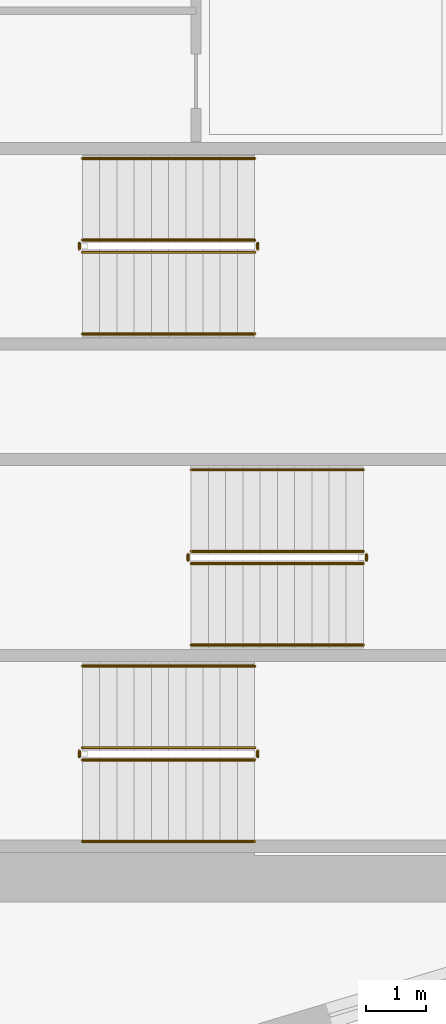
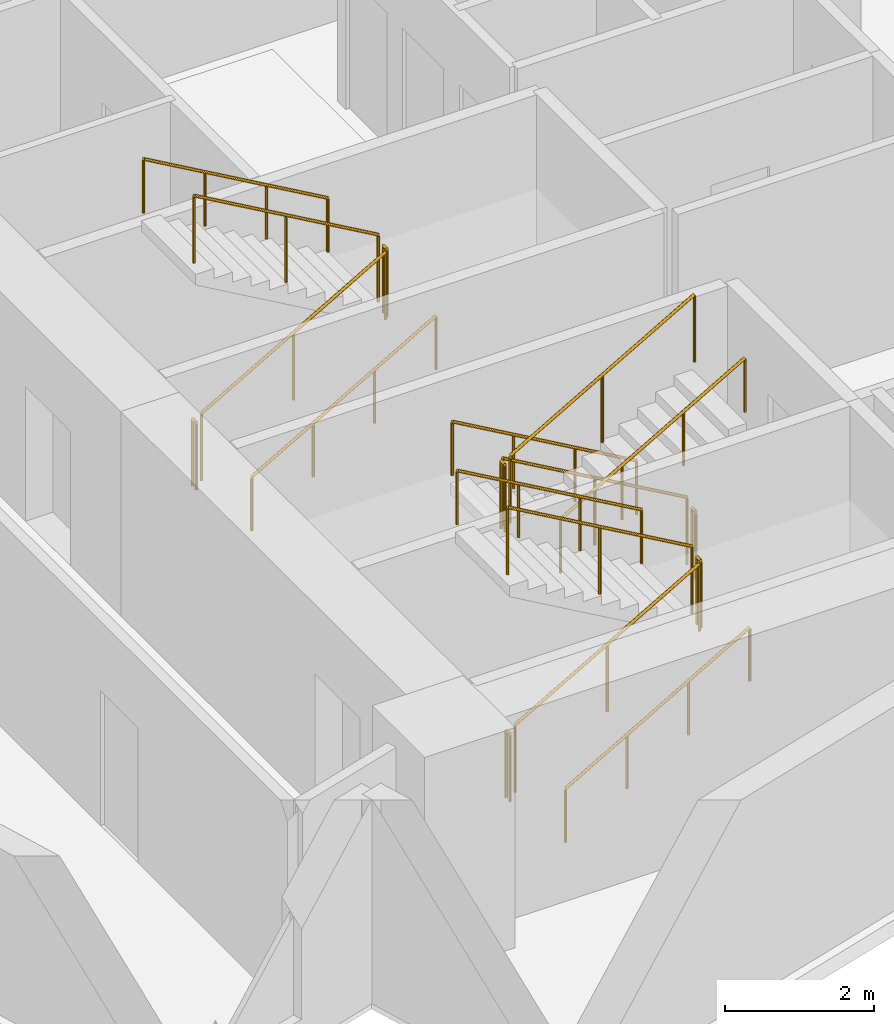
# One storey, part 15 of 16: 18 railings.
"""IFC4 building model written with IfcOpenShell, lengths in metres."""

import ifcopenshell
import ifcopenshell.guid

model = None  # the IFC model being written
_history = None  # IfcOwnerHistory: only IFC2X3 demands one
_inside = {}  # id of a spatial element -> (the spatial element, [elements in it])
_under = {}  # id of a project, library or spatial element -> (it, [spatial elements below it])
_declared = {}  # id of a project -> (the project, [libraries it declares])
_typed = {}  # id of a type object -> (the type object, [elements of that type])
_made_of = {}  # id of a material, layer set ... -> (it, [elements and type objects made of it])


def new_model(schema):
    """Start an empty IFC model of exactly this schema.

    Asked for "IFC4X3", IfcOpenShell would pick the latest addendum, in which some entities
    have other attributes; the version numbers below select the first issue.
    IFC2X3 requires an IfcOwnerHistory on every rooted entity: one is made here for all.
    """
    global model, _history
    if schema == "IFC4X3":
        model = ifcopenshell.file(schema_version=(4, 3, 0, 0))
    else:
        model = ifcopenshell.file(schema=schema)
    _inside.clear()
    _under.clear()
    _declared.clear()
    _typed.clear()
    _made_of.clear()
    _history = None
    if model.schema == "IFC2X3":
        org = make("IfcOrganization", Name="unknown")
        user = make(
            "IfcPersonAndOrganization",
            ThePerson=make("IfcPerson", FamilyName="unknown"),
            TheOrganization=org,
        )
        app = make(
            "IfcApplication",
            ApplicationDeveloper=org,
            Version="unknown",
            ApplicationFullName="unknown",
            ApplicationIdentifier="unknown",
        )
        _history = make(
            "IfcOwnerHistory",
            OwningUser=user,
            OwningApplication=app,
            ChangeAction="ADDED",
            CreationDate=0,
        )
    return model


def make(cls, **values):
    """One entity of the class cls with the attributes given. An attribute that is None is left unset."""
    return model.create_entity(
        cls, **{name: value for name, value in values.items() if value is not None}
    )


def rooted(cls, **values):
    """An entity with a GlobalId (a new one), such as an element, a storey or a relation."""
    return make(cls, GlobalId=ifcopenshell.guid.new(), OwnerHistory=_history, **values)


def si_unit(unit_type, name, prefix=None):
    """IfcSIUnit, for example si_unit("LENGTHUNIT", "METRE", prefix="MILLI")."""
    return make("IfcSIUnit", UnitType=unit_type, Prefix=prefix, Name=name)


def assignment(units):
    """IfcUnitAssignment: the units of a project."""
    return None if units is None else make("IfcUnitAssignment", Units=units)


def point(xyz):
    """IfcCartesianPoint."""
    return None if xyz is None else make("IfcCartesianPoint", Coordinates=xyz)


def direction(xyz):
    """IfcDirection."""
    return None if xyz is None else make("IfcDirection", DirectionRatios=xyz)


def frame(location, z_axis=None, x_axis=None):
    """IfcAxis2Placement3D, a coordinate frame: its origin and axes. An axis left out is left unset."""
    return make(
        "IfcAxis2Placement3D",
        Location=point(location),
        Axis=direction(z_axis),
        RefDirection=direction(x_axis),
    )


def frame_2d(location, x_axis=None):
    """IfcAxis2Placement2D, a coordinate frame in the plane: its origin and x axis."""
    return make(
        "IfcAxis2Placement2D", Location=point(location), RefDirection=direction(x_axis)
    )


def origin():
    """The frame at (0, 0, 0) with its axes left unset."""
    return frame((0.0, 0.0, 0.0))


def origin_2d():
    """The frame at (0, 0) in the plane with its x axis left unset."""
    return frame_2d((0.0, 0.0))


def place(relative_to, where):
    """IfcLocalPlacement: puts the frame where relative to a parent placement (None: the world)."""
    return make(
        "IfcLocalPlacement", PlacementRelTo=relative_to, RelativePlacement=where
    )


def context(
    kind, dimensions, precision=None, world=None, true_north=None, identifier=None
):
    """IfcGeometricRepresentationContext, for example the 3D "Model" context."""
    return make(
        "IfcGeometricRepresentationContext",
        ContextIdentifier=identifier,
        ContextType=kind,
        CoordinateSpaceDimension=dimensions,
        Precision=precision,
        WorldCoordinateSystem=world,
        TrueNorth=true_north,
    )


def subcontext(parent, identifier, kind, view, scale=None):
    """IfcGeometricRepresentationSubContext, for example "Body" below "Model"."""
    return make(
        "IfcGeometricRepresentationSubContext",
        ContextIdentifier=identifier,
        ContextType=kind,
        ParentContext=parent,
        TargetScale=scale,
        TargetView=view,
    )


def project(units=None, contexts=None):
    """IfcProject with its units and contexts."""
    return rooted(
        "IfcProject",
        Name="project",
        RepresentationContexts=contexts,
        UnitsInContext=assignment(units),
    )


def spatial(cls, under=None, at=None, **own):
    """A site, building, storey or space (cls), placed at a placement, below another one or the project."""
    s = rooted(cls, ObjectPlacement=at, **own)
    if under is not None:
        _under.setdefault(under.id(), (under, []))[1].append(s)
    return s


def profile(cls, at=None, kind="AREA", **sizes):
    """A parametric profile (cls). Its sizes go by their IFC names, for example OverallWidth=200.0."""
    return make(cls, ProfileType=kind, Position=at, **sizes)


def circle(**sizes):
    """IfcCircleProfileDef."""
    return profile("IfcCircleProfileDef", **sizes)


def extrude(swept, where, along, depth):
    """IfcExtrudedAreaSolid: the profile swept, set in the frame where, extruded along a direction by depth."""
    return make(
        "IfcExtrudedAreaSolid",
        SweptArea=swept,
        Position=where,
        ExtrudedDirection=direction(along),
        Depth=depth,
    )


def shape(context_of_items, identifier, shape_type, items):
    """IfcShapeRepresentation: the items that make up one representation, for example the "Body"."""
    return make(
        "IfcShapeRepresentation",
        ContextOfItems=context_of_items,
        RepresentationIdentifier=identifier,
        RepresentationType=shape_type,
        Items=items,
    )


def material(Name=None, Category=None):
    """IfcMaterial."""
    return make("IfcMaterial", Name=Name, Category=Category)


def made_of(thing, what):
    """Note that an element or type object is made of a material, layer set ...; save() writes the relation."""
    if what is not None:
        _made_of.setdefault(what.id(), (what, []))[1].append(thing)
    return thing


def type_object(cls, material=None, **own):
    """A type object (cls), such as IfcWallType, which elements share."""
    return made_of(rooted(cls, **own), material)


def element(
    cls,
    number,
    at=None,
    inside=None,
    cuts=None,
    type_object=None,
    material=None,
    context=None,
    identifier="Body",
    shape_type=None,
    held_by="IfcProductDefinitionShape",
    body=None,
    shapes=None,
    **own,
):
    """One element of the class cls, such as IfcWall. Its Tag is "e" and its number.

    at: its placement. inside: the storey or other place that contains it. cuts: it is an
    opening in that element (IfcRelVoidsElement). A single representation is given by context,
    identifier, shape_type and body (its items); several are given by shapes. held_by: the class
    of the entity that holds the representations. save() writes the other relations.
    """
    e = rooted(cls, Tag="e%d" % number, ObjectPlacement=at, **own)
    if body is not None:
        shapes = [shape(context, identifier, shape_type, body)]
    if shapes is not None:
        e.Representation = make(held_by, Representations=shapes)
    if inside is not None:
        _inside.setdefault(inside.id(), (inside, []))[1].append(e)
    if cuts is not None:
        rooted(
            "IfcRelVoidsElement", RelatingBuildingElement=cuts, RelatedOpeningElement=e
        )
    if type_object is not None:
        _typed.setdefault(type_object.id(), (type_object, []))[1].append(e)
    return made_of(e, material)


def aggregate(whole, parts):
    """IfcRelAggregates: a whole, such as a stair, and the parts it consists of."""
    return rooted("IfcRelAggregates", RelatingObject=whole, RelatedObjects=parts)


def save(model, path):
    """Write the relations noted so far, then the file.

    IfcRelAggregates (storeys below a building ...), IfcRelContainedInSpatialStructure (elements
    in a storey), IfcRelDefinesByType, IfcRelAssociatesMaterial and IfcRelDeclares: one each for
    every whole, place, type object, material and project.
    """
    for whole, parts in _under.values():
        aggregate(whole, parts)
    for where, things in _inside.values():
        rooted(
            "IfcRelContainedInSpatialStructure",
            RelatedElements=things,
            RelatingStructure=where,
        )
    for kind, things in _typed.values():
        rooted("IfcRelDefinesByType", RelatedObjects=things, RelatingType=kind)
    for what, things in _made_of.values():
        rooted("IfcRelAssociatesMaterial", RelatedObjects=things, RelatingMaterial=what)
    for by, libraries in _declared.values():
        rooted("IfcRelDeclares", RelatingContext=by, RelatedDefinitions=libraries)
    model.write(path)


model = new_model("IFC4")

# Units and contexts
model_context = context("Model", 3, precision=1e-05, world=origin(), true_north=direction((0.0, 1.0)))
body_context = subcontext(model_context, "Body", "Model", "MODEL_VIEW")
ifc_project = project(units=[si_unit("LENGTHUNIT", "METRE"), si_unit("AREAUNIT", "SQUARE_METRE"), si_unit("VOLUMEUNIT", "CUBIC_METRE"), si_unit("PLANEANGLEUNIT", "RADIAN"), si_unit("MASSUNIT", "GRAM", prefix="KILO")], contexts=[model_context])

# Site, building, storey
site_placement = place(None, origin())
site = spatial("IfcSite", under=ifc_project, at=site_placement, CompositionType="ELEMENT")
building_placement = place(site_placement, origin())
building = spatial("IfcBuilding", under=site, at=building_placement, Name="Narakoshi Arena Tower", CompositionType="ELEMENT")
storey_placement = place(building_placement, frame((0.0, 0.0, 146.699951171875)))
storey = spatial("IfcBuildingStorey", under=building, at=storey_placement, Name="L39", CompositionType="ELEMENT", Elevation=146.699951171875)

# Railings
ifc_material_1 = material(Name="Clear low-iron laminated structural glass", Category="glass")
railing_type_1 = type_object("IfcRailingType", Name="RL-BAL-1100", PredefinedType="BALUSTRADE", material=ifc_material_1)
railing_1_placement = place(storey_placement, frame((74.39990234375, 36.949951171875, 0.16357421875)))
element("IfcRailing", 1, at=railing_1_placement, inside=storey, type_object=railing_type_1, Name="L39 ST1 stair guard 1", PredefinedType="BALUSTRADE", context=body_context, shape_type="SweptSolid", body=[
    extrude(circle(Radius=0.02392578125, at=origin_2d()), frame((0.0, 0.0, 1.09619140625), z_axis=(0.86721270334, 0.0, 0.497937874806), x_axis=(0.0, 1.0, 0.0)), (0.0, 0.0, 1.0), 3.28662109375),
    extrude(circle(Radius=0.02099609375, at=origin_2d()), origin(), (0.0, 0.0, 1.0), 1.072021484375),
    extrude(circle(Radius=0.02099609375, at=origin_2d()), frame((1.425048828125, 0.0, 0.818359375)), (0.0, 0.0, 1.0), 1.072021484375),
    extrude(circle(Radius=0.02099609375, at=origin_2d()), frame((2.85009765625, 0.0, 1.636474609375)), (0.0, 0.0, 1.0), 1.072021484375),
])
railing_2_placement = place(storey_placement, frame((77.300048828125, 37.0, 1.800048828125)))
element("IfcRailing", 2, at=railing_2_placement, inside=storey, type_object=railing_type_1, Name="L39 ST1 stair guard 2", PredefinedType="BALUSTRADE", context=body_context, shape_type="SweptSolid", body=[
    extrude(circle(Radius=0.02392578125, at=origin_2d()), frame((0.0, 0.0, 1.09619140625), z_axis=(0.0, 1.0, 0.0), x_axis=(-1.0, 0.0, 0.0)), (0.0, 0.0, 1.0), 0.10009765625),
    extrude(circle(Radius=0.02099609375, at=origin_2d()), origin(), (0.0, 0.0, 1.0), 1.072021484375),
    extrude(circle(Radius=0.02099609375, at=origin_2d()), frame((0.0, 0.10009765625, 0.0)), (0.0, 0.0, 1.0), 1.072021484375),
])
railing_3_placement = place(storey_placement, frame((77.25, 37.14990234375, 1.963623046875)))
element("IfcRailing", 3, at=railing_3_placement, inside=storey, type_object=railing_type_1, Name="L39 ST1 stair guard 3", PredefinedType="BALUSTRADE", context=body_context, shape_type="SweptSolid", body=[
    extrude(circle(Radius=0.02392578125, at=origin_2d()), frame((0.0, 0.0, 1.09619140625), z_axis=(-0.86721270334, 0.0, 0.497937874806), x_axis=(0.0, -1.0, 0.0)), (0.0, 0.0, 1.0), 3.28662109375),
    extrude(circle(Radius=0.02099609375, at=origin_2d()), origin(), (0.0, 0.0, 1.0), 1.072021484375),
    extrude(circle(Radius=0.02099609375, at=origin_2d()), frame((-1.425048828125, 0.0, 0.818359375)), (0.0, 0.0, 1.0), 1.072021484375),
    extrude(circle(Radius=0.02099609375, at=origin_2d()), frame((-2.85009765625, 0.0, 1.636474609375)), (0.0, 0.0, 1.0), 1.072021484375),
])
railing_4_placement = place(storey_placement, frame((74.35009765625, 37.0, 0.0)))
element("IfcRailing", 4, at=railing_4_placement, inside=storey, type_object=railing_type_1, Name="L39 ST1 stair guard 4", PredefinedType="BALUSTRADE", context=body_context, shape_type="SweptSolid", body=[
    extrude(circle(Radius=0.02392578125, at=origin_2d()), frame((0.0, 0.0, 1.09619140625), z_axis=(0.0, 1.0, 0.0), x_axis=(-1.0, 0.0, 0.0)), (0.0, 0.0, 1.0), 0.10009765625),
    extrude(circle(Radius=0.02099609375, at=origin_2d()), origin(), (0.0, 0.0, 1.0), 1.072021484375),
    extrude(circle(Radius=0.02099609375, at=origin_2d()), frame((0.0, 0.10009765625, 0.0)), (0.0, 0.0, 1.0), 1.072021484375),
])
railing_5_placement = place(storey_placement, frame((79.050048828125, 40.39990234375, 0.16357421875)))
element("IfcRailing", 5, at=railing_5_placement, inside=storey, type_object=railing_type_1, Name="L39 ST2 stair guard 1", PredefinedType="BALUSTRADE", context=body_context, shape_type="SweptSolid", body=[
    extrude(circle(Radius=0.02392578125, at=origin_2d()), frame((0.0, 0.0, 1.09619140625), z_axis=(-0.86721270334, 0.0, 0.497937874806), x_axis=(0.0, -1.0, 0.0)), (0.0, 0.0, 1.0), 3.28662109375),
    extrude(circle(Radius=0.02099609375, at=origin_2d()), origin(), (0.0, 0.0, 1.0), 1.072021484375),
    extrude(circle(Radius=0.02099609375, at=origin_2d()), frame((-1.425048828125, 0.0, 0.818359375)), (0.0, 0.0, 1.0), 1.072021484375),
    extrude(circle(Radius=0.02099609375, at=origin_2d()), frame((-2.85009765625, 0.0, 1.636474609375)), (0.0, 0.0, 1.0), 1.072021484375),
])
railing_6_placement = place(storey_placement, frame((76.14990234375, 40.35009765625, 1.800048828125)))
element("IfcRailing", 6, at=railing_6_placement, inside=storey, type_object=railing_type_1, Name="L39 ST2 stair guard 2", PredefinedType="BALUSTRADE", context=body_context, shape_type="SweptSolid", body=[
    extrude(circle(Radius=0.02392578125, at=origin_2d()), frame((0.0, 0.0, 1.09619140625), z_axis=(0.0, -1.0, 0.0), x_axis=(1.0, 0.0, 0.0)), (0.0, 0.0, 1.0), 0.10009765625),
    extrude(circle(Radius=0.02099609375, at=origin_2d()), origin(), (0.0, 0.0, 1.0), 1.072021484375),
    extrude(circle(Radius=0.02099609375, at=origin_2d()), frame((0.0, -0.10009765625, 0.0)), (0.0, 0.0, 1.0), 1.072021484375),
])
railing_7_placement = place(storey_placement, frame((76.199951171875, 40.199951171875, 1.963623046875)))
element("IfcRailing", 7, at=railing_7_placement, inside=storey, type_object=railing_type_1, Name="L39 ST2 stair guard 3", PredefinedType="BALUSTRADE", context=body_context, shape_type="SweptSolid", body=[
    extrude(circle(Radius=0.02392578125, at=origin_2d()), frame((0.0, 0.0, 1.09619140625), z_axis=(0.86721270334, 0.0, 0.497937874806), x_axis=(0.0, 1.0, 0.0)), (0.0, 0.0, 1.0), 3.28662109375),
    extrude(circle(Radius=0.02099609375, at=origin_2d()), origin(), (0.0, 0.0, 1.0), 1.072021484375),
    extrude(circle(Radius=0.02099609375, at=origin_2d()), frame((1.425048828125, 0.0, 0.818359375)), (0.0, 0.0, 1.0), 1.072021484375),
    extrude(circle(Radius=0.02099609375, at=origin_2d()), frame((2.85009765625, 0.0, 1.636474609375)), (0.0, 0.0, 1.0), 1.072021484375),
])
railing_8_placement = place(storey_placement, frame((79.10009765625, 40.35009765625, 0.0)))
element("IfcRailing", 8, at=railing_8_placement, inside=storey, type_object=railing_type_1, Name="L39 ST2 stair guard 4", PredefinedType="BALUSTRADE", context=body_context, shape_type="SweptSolid", body=[
    extrude(circle(Radius=0.02392578125, at=origin_2d()), frame((0.0, 0.0, 1.09619140625), z_axis=(0.0, -1.0, 0.0), x_axis=(1.0, 0.0, 0.0)), (0.0, 0.0, 1.0), 0.10009765625),
    extrude(circle(Radius=0.02099609375, at=origin_2d()), origin(), (0.0, 0.0, 1.0), 1.072021484375),
    extrude(circle(Radius=0.02099609375, at=origin_2d()), frame((0.0, -0.10009765625, 0.0)), (0.0, 0.0, 1.0), 1.072021484375),
])
railing_9_placement = place(storey_placement, frame((74.39990234375, 45.35009765625, 0.16357421875)))
element("IfcRailing", 9, at=railing_9_placement, inside=storey, type_object=railing_type_1, Name="L39 ST3 stair guard 1", PredefinedType="BALUSTRADE", context=body_context, shape_type="SweptSolid", body=[
    extrude(circle(Radius=0.02392578125, at=origin_2d()), frame((0.0, 0.0, 1.09619140625), z_axis=(0.86721270334, 0.0, 0.497937874806), x_axis=(0.0, 1.0, 0.0)), (0.0, 0.0, 1.0), 3.28662109375),
    extrude(circle(Radius=0.02099609375, at=origin_2d()), origin(), (0.0, 0.0, 1.0), 1.072021484375),
    extrude(circle(Radius=0.02099609375, at=origin_2d()), frame((1.425048828125, 0.0, 0.818359375)), (0.0, 0.0, 1.0), 1.072021484375),
    extrude(circle(Radius=0.02099609375, at=origin_2d()), frame((2.85009765625, 0.0, 1.636474609375)), (0.0, 0.0, 1.0), 1.072021484375),
])
railing_10_placement = place(storey_placement, frame((77.300048828125, 45.39990234375, 1.800048828125)))
element("IfcRailing", 10, at=railing_10_placement, inside=storey, type_object=railing_type_1, Name="L39 ST3 stair guard 2", PredefinedType="BALUSTRADE", context=body_context, shape_type="SweptSolid", body=[
    extrude(circle(Radius=0.02392578125, at=origin_2d()), frame((0.0, 0.0, 1.09619140625), z_axis=(0.0, 1.0, 0.0), x_axis=(-1.0, 0.0, 0.0)), (0.0, 0.0, 1.0), 0.10009765625),
    extrude(circle(Radius=0.02099609375, at=origin_2d()), origin(), (0.0, 0.0, 1.0), 1.072021484375),
    extrude(circle(Radius=0.02099609375, at=origin_2d()), frame((0.0, 0.10009765625, 0.0)), (0.0, 0.0, 1.0), 1.072021484375),
])
railing_11_placement = place(storey_placement, frame((77.25, 45.550048828125, 1.963623046875)))
element("IfcRailing", 11, at=railing_11_placement, inside=storey, type_object=railing_type_1, Name="L39 ST3 stair guard 3", PredefinedType="BALUSTRADE", context=body_context, shape_type="SweptSolid", body=[
    extrude(circle(Radius=0.02392578125, at=origin_2d()), frame((0.0, 0.0, 1.09619140625), z_axis=(-0.86721270334, 0.0, 0.497937874806), x_axis=(0.0, -1.0, 0.0)), (0.0, 0.0, 1.0), 3.28662109375),
    extrude(circle(Radius=0.02099609375, at=origin_2d()), origin(), (0.0, 0.0, 1.0), 1.072021484375),
    extrude(circle(Radius=0.02099609375, at=origin_2d()), frame((-1.425048828125, 0.0, 0.818359375)), (0.0, 0.0, 1.0), 1.072021484375),
    extrude(circle(Radius=0.02099609375, at=origin_2d()), frame((-2.85009765625, 0.0, 1.636474609375)), (0.0, 0.0, 1.0), 1.072021484375),
])
railing_12_placement = place(storey_placement, frame((74.35009765625, 45.39990234375, 0.0)))
element("IfcRailing", 12, at=railing_12_placement, inside=storey, type_object=railing_type_1, Name="L39 ST3 stair guard 4", PredefinedType="BALUSTRADE", context=body_context, shape_type="SweptSolid", body=[
    extrude(circle(Radius=0.02392578125, at=origin_2d()), frame((0.0, 0.0, 1.09619140625), z_axis=(0.0, 1.0, 0.0), x_axis=(-1.0, 0.0, 0.0)), (0.0, 0.0, 1.0), 0.10009765625),
    extrude(circle(Radius=0.02099609375, at=origin_2d()), origin(), (0.0, 0.0, 1.0), 1.072021484375),
    extrude(circle(Radius=0.02099609375, at=origin_2d()), frame((0.0, 0.10009765625, 0.0)), (0.0, 0.0, 1.0), 1.072021484375),
])
ifc_material_2 = material(Name="Brushed bronze stainless steel", Category="steel")
railing_type_2 = type_object("IfcRailingType", Name="RL-HND-900", PredefinedType="HANDRAIL", material=ifc_material_2)
railing_13_placement = place(storey_placement, frame((74.39990234375, 35.60009765625, 0.16357421875)))
element("IfcRailing", 13, at=railing_13_placement, inside=storey, type_object=railing_type_2, Name="L39 ST1 stair handrail 1", PredefinedType="HANDRAIL", context=body_context, shape_type="SweptSolid", body=[
    extrude(circle(Radius=0.02392578125, at=origin_2d()), frame((0.0, 0.0, 0.8759765625), z_axis=(0.86721270334, 0.0, 0.497937874806), x_axis=(0.0, 1.0, 0.0)), (0.0, 0.0, 1.0), 3.28662109375),
    extrude(circle(Radius=0.02099609375, at=origin_2d()), origin(), (0.0, 0.0, 1.0), 0.851806640625),
    extrude(circle(Radius=0.02099609375, at=origin_2d()), frame((0.949951171875, 0.0, 0.54541015625)), (0.0, 0.0, 1.0), 0.851806640625),
    extrude(circle(Radius=0.02099609375, at=origin_2d()), frame((1.900146484375, 0.0, 1.091064453125)), (0.0, 0.0, 1.0), 0.851806640625),
    extrude(circle(Radius=0.02099609375, at=origin_2d()), frame((2.85009765625, 0.0, 1.636474609375)), (0.0, 0.0, 1.0), 0.851806640625),
])
for number, where, name in (
    (14, (77.25, 38.5, 1.963623046875), "L39 ST1 stair handrail 2"),
    (15, (79.050048828125, 41.75, 0.16357421875), "L39 ST2 stair handrail 1"),
):
    element("IfcRailing", number, at=place(storey_placement, frame(where)), inside=storey, type_object=railing_type_2, Name=name, PredefinedType="HANDRAIL", context=body_context, shape_type="SweptSolid", body=[
        extrude(circle(Radius=0.02392578125, at=origin_2d()), frame((0.0, 0.0, 0.8759765625), z_axis=(-0.86721270334, 0.0, 0.497937874806), x_axis=(0.0, -1.0, 0.0)), (0.0, 0.0, 1.0), 3.28662109375),
        extrude(circle(Radius=0.02099609375, at=origin_2d()), origin(), (0.0, 0.0, 1.0), 0.851806640625),
        extrude(circle(Radius=0.02099609375, at=origin_2d()), frame((-0.949951171875, 0.0, 0.54541015625)), (0.0, 0.0, 1.0), 0.851806640625),
        extrude(circle(Radius=0.02099609375, at=origin_2d()), frame((-1.900146484375, 0.0, 1.091064453125)), (0.0, 0.0, 1.0), 0.851806640625),
        extrude(circle(Radius=0.02099609375, at=origin_2d()), frame((-2.85009765625, 0.0, 1.636474609375)), (0.0, 0.0, 1.0), 0.851806640625),
    ])
for number, where, name in (
    (16, (76.199951171875, 38.85009765625, 1.963623046875), "L39 ST2 stair handrail 2"),
    (17, (74.39990234375, 44.0, 0.16357421875), "L39 ST3 stair handrail 1"),
):
    element("IfcRailing", number, at=place(storey_placement, frame(where)), inside=storey, type_object=railing_type_2, Name=name, PredefinedType="HANDRAIL", context=body_context, shape_type="SweptSolid", body=[
        extrude(circle(Radius=0.02392578125, at=origin_2d()), frame((0.0, 0.0, 0.8759765625), z_axis=(0.86721270334, 0.0, 0.497937874806), x_axis=(0.0, 1.0, 0.0)), (0.0, 0.0, 1.0), 3.28662109375),
        extrude(circle(Radius=0.02099609375, at=origin_2d()), origin(), (0.0, 0.0, 1.0), 0.851806640625),
        extrude(circle(Radius=0.02099609375, at=origin_2d()), frame((0.949951171875, 0.0, 0.54541015625)), (0.0, 0.0, 1.0), 0.851806640625),
        extrude(circle(Radius=0.02099609375, at=origin_2d()), frame((1.900146484375, 0.0, 1.091064453125)), (0.0, 0.0, 1.0), 0.851806640625),
        extrude(circle(Radius=0.02099609375, at=origin_2d()), frame((2.85009765625, 0.0, 1.636474609375)), (0.0, 0.0, 1.0), 0.851806640625),
    ])
railing_14_placement = place(storey_placement, frame((77.25, 46.89990234375, 1.963623046875)))
element("IfcRailing", 18, at=railing_14_placement, inside=storey, type_object=railing_type_2, Name="L39 ST3 stair handrail 2", PredefinedType="HANDRAIL", context=body_context, shape_type="SweptSolid", body=[
    extrude(circle(Radius=0.02392578125, at=origin_2d()), frame((0.0, 0.0, 0.8759765625), z_axis=(-0.86721270334, 0.0, 0.497937874806), x_axis=(0.0, -1.0, 0.0)), (0.0, 0.0, 1.0), 3.28662109375),
    extrude(circle(Radius=0.02099609375, at=origin_2d()), origin(), (0.0, 0.0, 1.0), 0.851806640625),
    extrude(circle(Radius=0.02099609375, at=origin_2d()), frame((-0.949951171875, 0.0, 0.54541015625)), (0.0, 0.0, 1.0), 0.851806640625),
    extrude(circle(Radius=0.02099609375, at=origin_2d()), frame((-1.900146484375, 0.0, 1.091064453125)), (0.0, 0.0, 1.0), 0.851806640625),
    extrude(circle(Radius=0.02099609375, at=origin_2d()), frame((-2.85009765625, 0.0, 1.636474609375)), (0.0, 0.0, 1.0), 0.851806640625),
])

save(model, "model.ifc")
